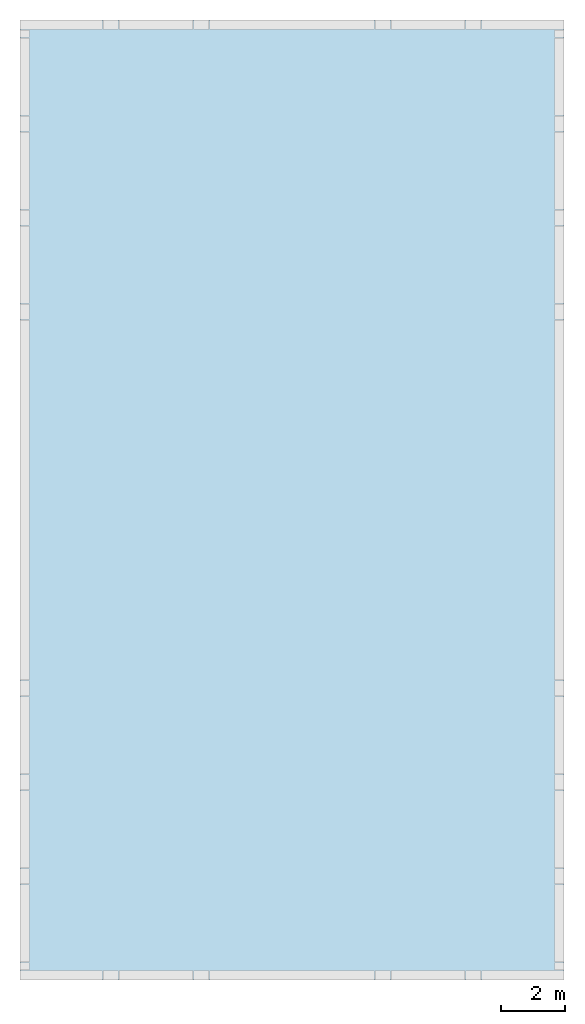
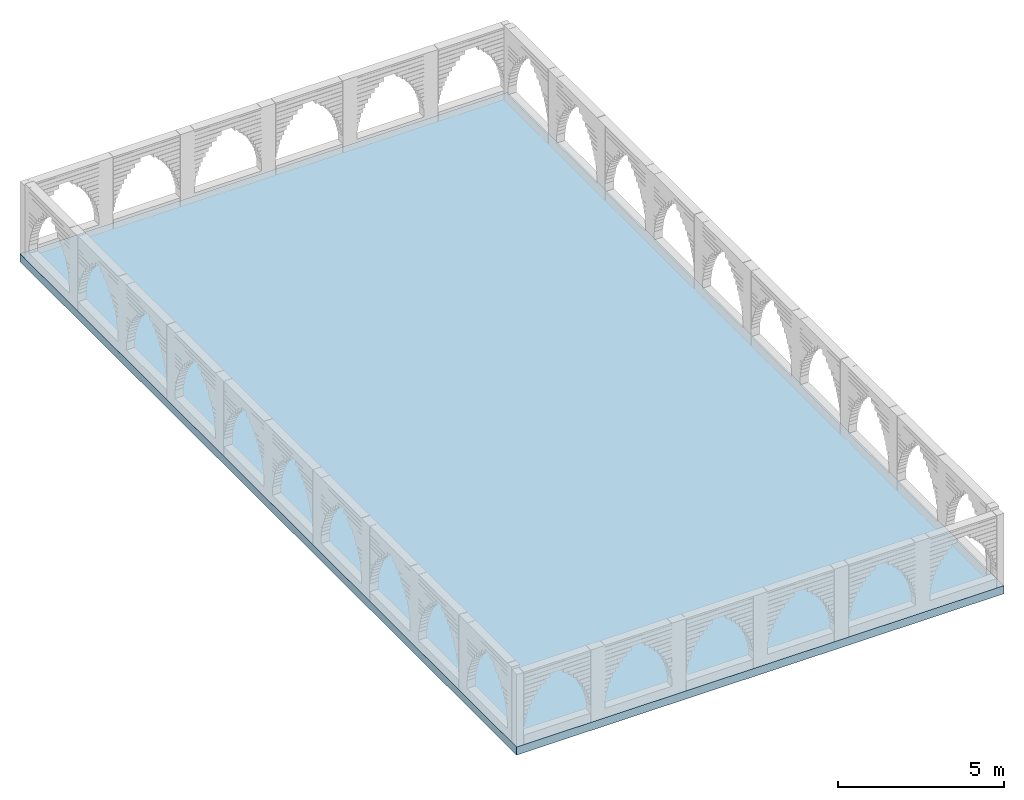
# One storey, incomplete: 1 slab.
"""IFC4 building model written with IfcOpenShell, lengths in metres."""

from ifc_helpers import new_model, si_unit, direction, frame, origin, place, context, subcontext, project, spatial, polyline, outline, extrude, material, layer, layer_set, type_object, element, save


model = new_model("IFC4")

# Units and contexts
model_context = context("Model", 3, precision=1e-05, world=origin(), true_north=direction((0.0, 1.0)))
body_context = subcontext(model_context, "Body", "Model", "MODEL_VIEW")
ifc_project = project(units=[si_unit("LENGTHUNIT", "METRE"), si_unit("AREAUNIT", "SQUARE_METRE"), si_unit("VOLUMEUNIT", "CUBIC_METRE"), si_unit("PLANEANGLEUNIT", "RADIAN"), si_unit("MASSUNIT", "GRAM", prefix="KILO")], contexts=[model_context])

# Site, building, storey
site_placement = place(None, origin())
site = spatial("IfcSite", under=ifc_project, at=site_placement, CompositionType="ELEMENT")
building_placement = place(site_placement, origin())
building = spatial("IfcBuilding", under=site, at=building_placement, Name="Sun Court Science Centre", CompositionType="ELEMENT")
storey_placement = place(building_placement, frame((0.0, 0.0, 33.75)))
storey = spatial("IfcBuildingStorey", under=building, at=storey_placement, Name="Roof", CompositionType="ELEMENT", Elevation=33.75)

# Slab
ifc_material = material(Name="Concrete C25/30", Category="concrete")
ifc_layer = layer(ifc_material, 0.300048828125)
ifc_layer_set = layer_set([ifc_layer], Name="Concrete C25/30")
slab_type = type_object("IfcSlabType", Name="RC terrace slab 300", PredefinedType="ROOF", material=ifc_layer_set)
slab_placement = place(storey_placement, frame((0.0, 0.0, -0.300048828125)))
element("IfcSlab", 1, at=slab_placement, inside=storey, type_object=slab_type, Name="Roof slab of the observatory pavilion", PredefinedType="ROOF", context=body_context, shape_type="SweptSolid", body=[
    extrude(outline(polyline([(104.0, 43.5), (104.0, 73.5), (87.0, 73.5), (87.0, 43.5), (104.0, 43.5)])), origin(), (0.0, 0.0, 1.0), 0.300048828125),
])

save(model, "model.ifc")
